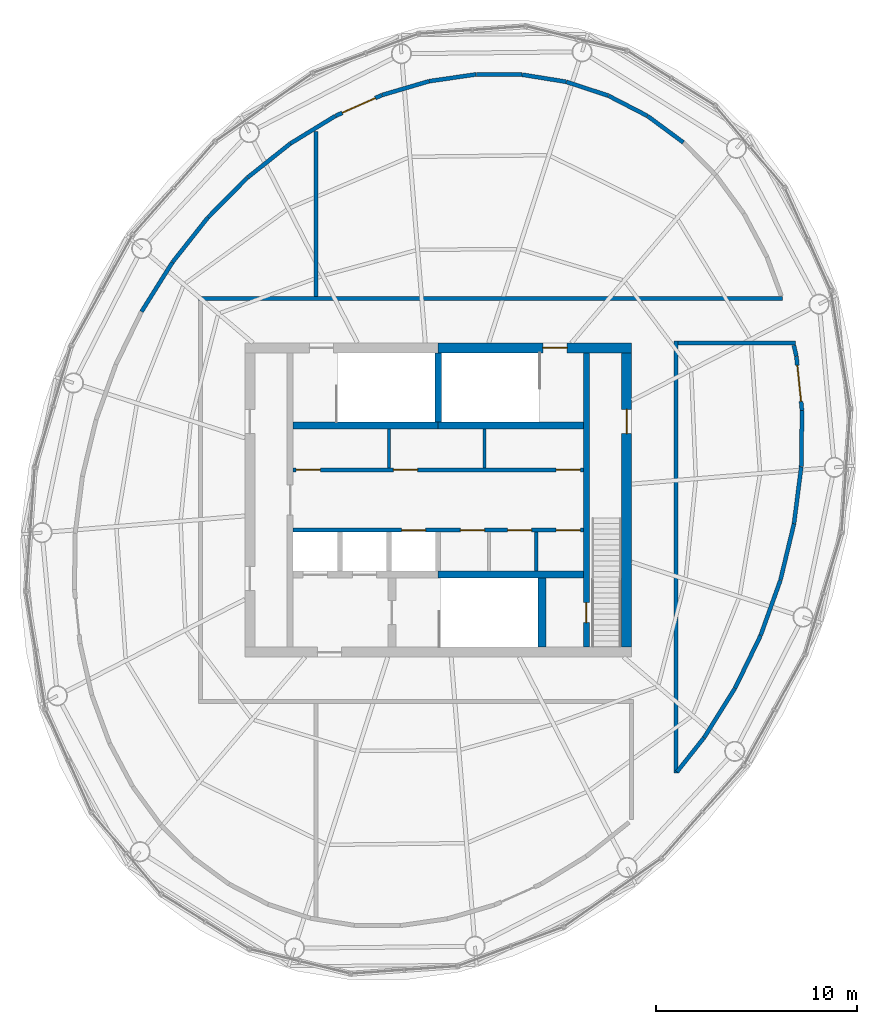
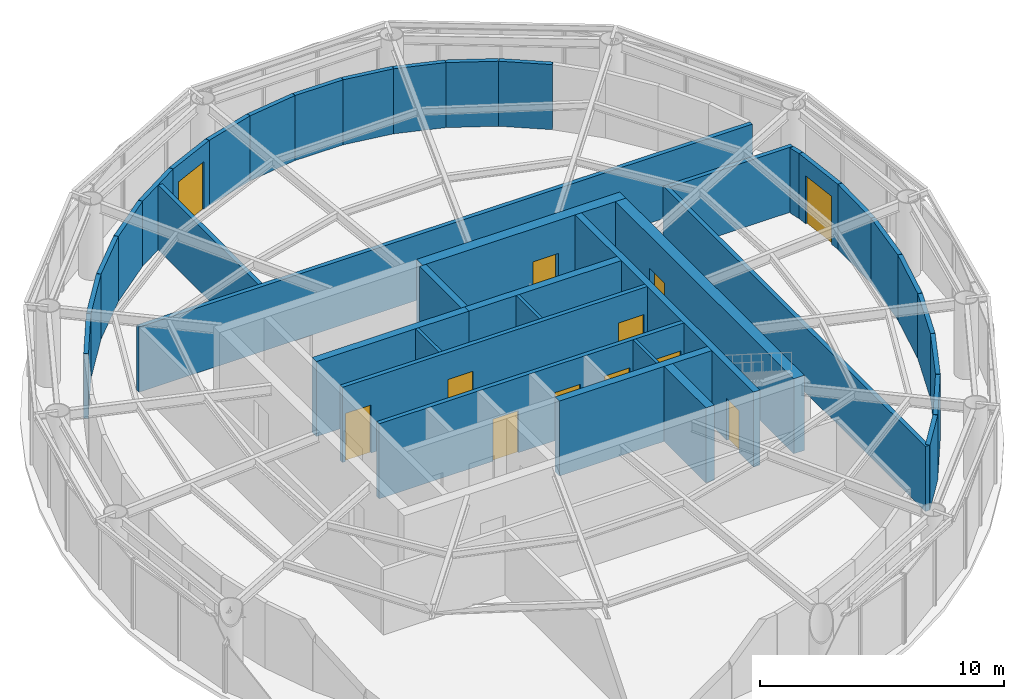
# One storey, part 9 of 11: 39 walls, 12 doors, 12 openings.
"""IFC4 building model written with IfcOpenShell, lengths in metres."""

from ifc_helpers import new_model, si_unit, direction, frame, frame_2d, origin, place, context, subcontext, project, spatial, rectangle, extrude, material, layer, layer_set, type_object, element, fill, save


model = new_model("IFC4")

# Units and contexts
model_context = context("Model", 3, precision=1e-05, world=origin(), true_north=direction((0.0, 1.0)))
body_context = subcontext(model_context, "Body", "Model", "MODEL_VIEW")
ifc_project = project(units=[si_unit("LENGTHUNIT", "METRE"), si_unit("AREAUNIT", "SQUARE_METRE"), si_unit("VOLUMEUNIT", "CUBIC_METRE"), si_unit("PLANEANGLEUNIT", "RADIAN"), si_unit("MASSUNIT", "GRAM", prefix="KILO")], contexts=[model_context])

# Site, building, storey
site_placement = place(None, origin())
site = spatial("IfcSite", under=ifc_project, at=site_placement, CompositionType="ELEMENT")
building_placement = place(site_placement, origin())
building = spatial("IfcBuilding", under=site, at=building_placement, Name="Vermilion Reach Broadcast Tower", CompositionType="ELEMENT")
storey_placement = place(building_placement, frame((0.0, 0.0, 325.5)))
storey = spatial("IfcBuildingStorey", under=building, at=storey_placement, Name="L81 CROWN", CompositionType="ELEMENT", Elevation=325.5)

# Wall, opening, door
ifc_material_1 = material(Name="Concrete C50", Category="concrete")
ifc_layer_1 = layer(ifc_material_1, 0.300048828125)
ifc_layer_set_1 = layer_set([ifc_layer_1], Name="Core inner wall 300 mm Concrete C50")
wall_type_1 = type_object("IfcWallType", Name="Core inner wall 300 mm Concrete C50", PredefinedType="SHEAR", material=ifc_layer_set_1)
wall_1_placement = place(storey_placement, frame((1.35009765625, -7.300048828125, 0.0), z_axis=(0.0, 0.0, 1.0), x_axis=(0.0, 1.0, 0.0)))
wall_1 = element("IfcWall", 1, at=wall_1_placement, inside=storey, type_object=wall_type_1, Name="L81 CROWN core wall ewE", PredefinedType="SHEAR", context=body_context, shape_type="SweptSolid", body=[
    extrude(rectangle(XDim=14.60009765625, YDim=0.300048828125, at=frame_2d((7.300048828125, 0.0))), origin(), (0.0, 0.0, 1.0), 3.75),
])
opening_1_placement = place(wall_1_placement, frame((1.2099609375, 0.0, 0.0)))
opening_1 = element("IfcOpeningElement", 2, at=opening_1_placement, cuts=wall_1, Name="Opening D05", PredefinedType="OPENING", context=body_context, shape_type="SweptSolid", body=[
    extrude(rectangle(XDim=1.0, YDim=2.10009765625, at=frame_2d((0.5, 1.050048828125))), frame((0.0, 0.159912109375, 0.0), z_axis=(0.0, -1.0, 0.0), x_axis=(1.0, 0.0, 0.0)), (0.0, 0.0, 1.0), 0.320068359375),
])
ifc_material_2 = material(Name="Timber door", Category="wood")
door_type_1 = type_object("IfcDoorType", Name="Room door 1000 x 2100", OperationType="NOTDEFINED", PredefinedType="NOTDEFINED", material=ifc_material_2)
door_1_placement = place(opening_1_placement, origin())
door_1 = element("IfcDoor", 3, at=door_1_placement, inside=storey, type_object=door_type_1, Name="L81 CROWN door SER", OperationType="SINGLE_SWING_LEFT", OverallHeight=2.10009765625, OverallWidth=1.0, PredefinedType="NOTDEFINED", context=body_context, shape_type="SweptSolid", body=[
    extrude(rectangle(XDim=1.0, YDim=2.10009765625, at=frame_2d((0.5, 1.050048828125))), frame((0.0, 0.02490234375, 0.0), z_axis=(0.0, -1.0, 0.0), x_axis=(1.0, 0.0, 0.0)), (0.0, 0.0, 1.0), 0.050048828125),
])
fill(opening_1, door_1)

# Walls
wall_2_placement = place(storey_placement, frame((-6.0, 3.8798828125, 0.0), z_axis=(0.0, 0.0, 1.0), x_axis=(0.0, 1.0, 0.0)))
element("IfcWall", 4, at=wall_2_placement, inside=storey, type_object=wall_type_1, Name="L81 CROWN core wall wc", PredefinedType="SHEAR", context=body_context, shape_type="SweptSolid", body=[
    extrude(rectangle(XDim=3.420166015625, YDim=0.300048828125, at=frame_2d((1.7099609375, 0.0))), origin(), (0.0, 0.0, 1.0), 3.75),
])
ifc_material_3 = material(Name="Concrete C50", Category="concrete")
ifc_layer_2 = layer(ifc_material_3, 0.35009765625)
ifc_layer_set_2 = layer_set([ifc_layer_2], Name="Core inner wall 350 mm Concrete C50")
wall_type_2 = type_object("IfcWallType", Name="Core inner wall 350 mm Concrete C50", PredefinedType="SHEAR", material=ifc_layer_set_2)
for number, where, z_axis, x_axis, name in (
    (5, (-13.199951171875, 3.705078125, 0.0), (0.0, 0.0, 1.0), (1.0, 0.0, 0.0), "L81 CROWN core wall winW"),
    (6, (-6.0, 3.705078125, 0.0), (0.0, 0.0, 1.0), (1.0, 0.0, 0.0), "L81 CROWN core wall winE"),
    (7, (-6.0, -3.705078125, 0.0), (0.0, 0.0, 1.0), (1.0, 0.0, 0.0), "L81 CROWN core wall wisE"),
):
    element("IfcWall", number, at=place(storey_placement, frame(where, z_axis=z_axis, x_axis=x_axis)), inside=storey, type_object=wall_type_2, Name=name, PredefinedType="SHEAR", context=body_context, shape_type="SweptSolid", body=[
        extrude(rectangle(XDim=7.199951171875, YDim=0.35009765625, at=frame_2d((3.60009765625, 0.0))), origin(), (0.0, 0.0, 1.0), 3.75),
    ])
ifc_material_4 = material(Name="Concrete C50", Category="concrete")
ifc_layer_3 = layer(ifc_material_4, 0.39990234375)
ifc_layer_set_3 = layer_set([ifc_layer_3], Name="Core inner wall 400 mm Concrete C50")
wall_type_3 = type_object("IfcWallType", Name="Core inner wall 400 mm Concrete C50", PredefinedType="SHEAR", material=ifc_layer_set_3)
wall_3_placement = place(storey_placement, frame((-0.85009765625, -3.8798828125, 0.0), z_axis=(0.0, 0.0, 1.0), x_axis=(0.0, -1.0, 0.0)))
element("IfcWall", 8, at=wall_3_placement, inside=storey, type_object=wall_type_3, Name="L81 CROWN core wall wb", PredefinedType="SHEAR", context=body_context, shape_type="SweptSolid", body=[
    extrude(rectangle(XDim=3.420166015625, YDim=0.39990234375, at=frame_2d((1.7099609375, 0.0))), origin(), (0.0, 0.0, 1.0), 3.75),
])

# Wall, opening, door
ifc_material_5 = material(Name="Concrete C50", Category="concrete")
ifc_layer_4 = layer(ifc_material_5, 0.5)
ifc_layer_set_4 = layer_set([ifc_layer_4], Name="Core outer wall 500 mm Concrete C50")
wall_type_4 = type_object("IfcWallType", Name="Core outer wall 500 mm Concrete C50", PredefinedType="SHEAR", material=ifc_layer_set_4)
wall_4_placement = place(storey_placement, frame((3.60009765625, 7.550048828125, 0.0), z_axis=(0.0, 0.0, 1.0), x_axis=(-1.0, 0.0, 0.0)))
wall_4 = element("IfcWall", 9, at=wall_4_placement, inside=storey, type_object=wall_type_4, Name="L81 CROWN core wall onE", PredefinedType="SHEAR", context=body_context, shape_type="SweptSolid", body=[
    extrude(rectangle(XDim=9.60009765625, YDim=0.5, at=frame_2d((4.800048828125, 0.0))), origin(), (0.0, 0.0, 1.0), 3.75),
])
opening_2_placement = place(wall_4_placement, frame((3.199951171875, 0.0, 0.0)))
opening_2 = element("IfcOpeningElement", 10, at=opening_2_placement, cuts=wall_4, Name="Opening D01", PredefinedType="OPENING", context=body_context, shape_type="SweptSolid", body=[
    extrude(rectangle(XDim=1.199951171875, YDim=2.10009765625, at=frame_2d((0.60009765625, 1.050048828125))), frame((0.0, 0.260009765625, 0.0), z_axis=(0.0, -1.0, 0.0), x_axis=(1.0, 0.0, 0.0)), (0.0, 0.0, 1.0), 0.52001953125),
])
ifc_material_6 = material(Name="Painted steel fire door", Category="steel")
door_type_2 = type_object("IfcDoorType", Name="Stair door 1200 x 2100", OperationType="DOUBLE_DOOR_SINGLE_SWING", PredefinedType="NOTDEFINED", material=ifc_material_6)
door_2_placement = place(opening_2_placement, origin())
door_2 = element("IfcDoor", 11, at=door_2_placement, inside=storey, type_object=door_type_2, Name="L81 CROWN stair door ST2", OperationType="DOUBLE_DOOR_SINGLE_SWING", OverallHeight=2.10009765625, OverallWidth=1.199951171875, PredefinedType="NOTDEFINED", context=body_context, shape_type="SweptSolid", body=[
    extrude(rectangle(XDim=1.199951171875, YDim=2.10009765625, at=frame_2d((0.60009765625, 1.050048828125))), frame((0.0, 0.02490234375, 0.0), z_axis=(0.0, -1.0, 0.0), x_axis=(1.0, 0.0, 0.0)), (0.0, 0.0, 1.0), 0.050048828125),
])
fill(opening_2, door_2)

wall_5_placement = place(storey_placement, frame((3.35009765625, -7.300048828125, 0.0), z_axis=(0.0, 0.0, 1.0), x_axis=(0.0, 1.0, 0.0)))
wall_5 = element("IfcWall", 12, at=wall_5_placement, inside=storey, type_object=wall_type_4, Name="L81 CROWN core wall oe", PredefinedType="SHEAR", context=body_context, shape_type="SweptSolid", body=[
    extrude(rectangle(XDim=14.60009765625, YDim=0.5, at=frame_2d((7.300048828125, 0.0))), origin(), (0.0, 0.0, 1.0), 3.75),
])
opening_3_placement = place(wall_5_placement, frame((10.60009765625, 0.0, 0.0)))
opening_3 = element("IfcOpeningElement", 13, at=opening_3_placement, cuts=wall_5, Name="Opening D03", PredefinedType="OPENING", context=body_context, shape_type="SweptSolid", body=[
    extrude(rectangle(XDim=1.199951171875, YDim=2.10009765625, at=frame_2d((0.60009765625, 1.050048828125))), frame((0.0, 0.260009765625, 0.0), z_axis=(0.0, -1.0, 0.0), x_axis=(1.0, 0.0, 0.0)), (0.0, 0.0, 1.0), 0.52001953125),
])
ifc_material_7 = material(Name="Painted steel fire door", Category="steel")
door_type_3 = type_object("IfcDoorType", Name="Core lobby door 1200 x 2100", OperationType="DOUBLE_DOOR_SINGLE_SWING", PredefinedType="NOTDEFINED", material=ifc_material_7)
door_3_placement = place(opening_3_placement, origin())
door_3 = element("IfcDoor", 14, at=door_3_placement, inside=storey, type_object=door_type_3, Name="L81 CROWN slot door E1", OperationType="DOUBLE_DOOR_SINGLE_SWING", OverallHeight=2.10009765625, OverallWidth=1.199951171875, PredefinedType="NOTDEFINED", context=body_context, shape_type="SweptSolid", body=[
    extrude(rectangle(XDim=1.199951171875, YDim=2.10009765625, at=frame_2d((0.60009765625, 1.050048828125))), frame((0.0, 0.02490234375, 0.0), z_axis=(0.0, -1.0, 0.0), x_axis=(1.0, 0.0, 0.0)), (0.0, 0.0, 1.0), 0.050048828125),
])
fill(opening_3, door_3)

# Walls
ifc_material_8 = material(Name="Masonry block", Category="masonry")
ifc_layer_5 = layer(ifc_material_8, 0.14990234375)
ifc_layer_set_5 = layer_set([ifc_layer_5], Name="Core partition wall 150 mm Masonry block")
wall_type_5 = type_object("IfcWallType", Name="Core partition wall 150 mm Masonry block", PredefinedType="PARTITIONING", material=ifc_layer_set_5)
for number, where, z_axis, x_axis, name in (
    (15, (-8.447998046875, 1.60009765625, 0.0), (0.0, 0.0, 1.0), (0.0, 1.0, 0.0), "L81 CROWN core wall prN-2448"),
    (16, (-3.696044921875, 1.60009765625, 0.0), (0.0, 0.0, 1.0), (0.0, 1.0, 0.0), "L81 CROWN core wall prN2304"),
    (17, (-1.134765625, -1.60009765625, 0.0), (0.0, 0.0, 1.0), (0.0, -1.0, 0.0), "L81 CROWN core wall prS4865"),
):
    element("IfcWall", number, at=place(storey_placement, frame(where, z_axis=z_axis, x_axis=x_axis)), inside=storey, type_object=wall_type_5, Name=name, PredefinedType="PARTITIONING", context=body_context, shape_type="SweptSolid", body=[
        extrude(rectangle(XDim=1.929931640625, YDim=0.14990234375, at=frame_2d((0.96484375, 0.0))), origin(), (0.0, 0.0, 1.0), 3.75),
    ])

# Wall, openings, doors
ifc_material_9 = material(Name="Concrete C50", Category="concrete")
ifc_layer_6 = layer(ifc_material_9, 0.199951171875)
ifc_layer_set_6 = layer_set([ifc_layer_6], Name="Core shaft wall 200 mm Concrete C50")
wall_type_6 = type_object("IfcWallType", Name="Core shaft wall 200 mm Concrete C50", PredefinedType="SHEAR", material=ifc_layer_set_6)
wall_6_placement = place(storey_placement, frame((-13.199951171875, 1.5, 0.0), z_axis=(0.0, 0.0, 1.0), x_axis=(1.0, 0.0, 0.0)))
wall_6 = element("IfcWall", 18, at=wall_6_placement, inside=storey, type_object=wall_type_6, Name="L81 CROWN core wall fn", PredefinedType="SHEAR", context=body_context, shape_type="SweptSolid", body=[
    extrude(rectangle(XDim=14.39990234375, YDim=0.199951171875, at=frame_2d((7.199951171875, 0.0))), origin(), (0.0, 0.0, 1.0), 3.75),
])
opening_4_placement = place(wall_6_placement, frame((0.14990234375, 0.0, 0.0)))
opening_4 = element("IfcOpeningElement", 19, at=opening_4_placement, cuts=wall_6, Name="Opening D09", PredefinedType="OPENING", context=body_context, shape_type="SweptSolid", body=[
    extrude(rectangle(XDim=1.199951171875, YDim=2.39990234375, at=frame_2d((0.60009765625, 1.199951171875))), frame((0.0, 0.10986328125, 0.0), z_axis=(0.0, -1.0, 0.0), x_axis=(1.0, 0.0, 0.0)), (0.0, 0.0, 1.0), 0.219970703125),
])
opening_5_placement = place(wall_6_placement, frame((4.97705078125, 0.0, 0.0)))
opening_5 = element("IfcOpeningElement", 20, at=opening_5_placement, cuts=wall_6, Name="Opening D09", PredefinedType="OPENING", context=body_context, shape_type="SweptSolid", body=[
    extrude(rectangle(XDim=1.199951171875, YDim=2.39990234375, at=frame_2d((0.60009765625, 1.199951171875))), frame((0.0, 0.10986328125, 0.0), z_axis=(0.0, -1.0, 0.0), x_axis=(1.0, 0.0, 0.0)), (0.0, 0.0, 1.0), 0.219970703125),
])
opening_6_placement = place(wall_6_placement, frame((13.050048828125, 0.0, 0.0)))
opening_6 = element("IfcOpeningElement", 21, at=opening_6_placement, cuts=wall_6, Name="Opening D09", PredefinedType="OPENING", context=body_context, shape_type="SweptSolid", body=[
    extrude(rectangle(XDim=1.199951171875, YDim=2.39990234375, at=frame_2d((0.60009765625, 1.199951171875))), frame((0.0, 0.10986328125, 0.0), z_axis=(0.0, -1.0, 0.0), x_axis=(1.0, 0.0, 0.0)), (0.0, 0.0, 1.0), 0.219970703125),
])
ifc_material_10 = material(Name="Painted steel fire door", Category="steel")
door_type_4 = type_object("IfcDoorType", Name="Plant room door 1200 x 2400", OperationType="DOUBLE_DOOR_SINGLE_SWING", PredefinedType="NOTDEFINED", material=ifc_material_10)
door_4_placement = place(opening_4_placement, origin())
door_4 = element("IfcDoor", 22, at=door_4_placement, inside=storey, type_object=door_type_4, Name="L81 CROWN door Plant room", OperationType="DOUBLE_DOOR_SINGLE_SWING", OverallHeight=2.39990234375, OverallWidth=1.199951171875, PredefinedType="NOTDEFINED", context=body_context, shape_type="SweptSolid", body=[
    extrude(rectangle(XDim=1.199951171875, YDim=2.39990234375, at=frame_2d((0.60009765625, 1.199951171875))), frame((0.0, 0.02490234375, 0.0), z_axis=(0.0, -1.0, 0.0), x_axis=(1.0, 0.0, 0.0)), (0.0, 0.0, 1.0), 0.050048828125),
])
fill(opening_4, door_4)
door_5_placement = place(opening_5_placement, origin())
door_5 = element("IfcDoor", 23, at=door_5_placement, inside=storey, type_object=door_type_4, Name="L81 CROWN door Plant room", OperationType="DOUBLE_DOOR_SINGLE_SWING", OverallHeight=2.39990234375, OverallWidth=1.199951171875, PredefinedType="NOTDEFINED", context=body_context, shape_type="SweptSolid", body=[
    extrude(rectangle(XDim=1.199951171875, YDim=2.39990234375, at=frame_2d((0.60009765625, 1.199951171875))), frame((0.0, 0.02490234375, 0.0), z_axis=(0.0, -1.0, 0.0), x_axis=(1.0, 0.0, 0.0)), (0.0, 0.0, 1.0), 0.050048828125),
])
fill(opening_5, door_5)
door_6_placement = place(opening_6_placement, origin())
door_6 = element("IfcDoor", 24, at=door_6_placement, inside=storey, type_object=door_type_4, Name="L81 CROWN door Plant room", OperationType="DOUBLE_DOOR_SINGLE_SWING", OverallHeight=2.39990234375, OverallWidth=1.199951171875, PredefinedType="NOTDEFINED", context=body_context, shape_type="SweptSolid", body=[
    extrude(rectangle(XDim=1.199951171875, YDim=2.39990234375, at=frame_2d((0.60009765625, 1.199951171875))), frame((0.0, 0.02490234375, 0.0), z_axis=(0.0, -1.0, 0.0), x_axis=(1.0, 0.0, 0.0)), (0.0, 0.0, 1.0), 0.050048828125),
])
fill(opening_6, door_6)

wall_7_placement = place(storey_placement, frame((1.199951171875, -1.5, 0.0), z_axis=(0.0, 0.0, 1.0), x_axis=(-1.0, 0.0, 0.0)))
wall_7 = element("IfcWall", 25, at=wall_7_placement, inside=storey, type_object=wall_type_6, Name="L81 CROWN core wall fs", PredefinedType="SHEAR", context=body_context, shape_type="SweptSolid", body=[
    extrude(rectangle(XDim=14.39990234375, YDim=0.199951171875, at=frame_2d((7.199951171875, 0.0))), origin(), (0.0, 0.0, 1.0), 3.75),
])
opening_7_placement = place(wall_7_placement, frame((7.82080078125, 0.0, 0.0)))
opening_7 = element("IfcOpeningElement", 26, at=opening_7_placement, cuts=wall_7, Name="Opening LD1", PredefinedType="OPENING", context=body_context, shape_type="SweptSolid", body=[
    extrude(rectangle(XDim=1.199951171875, YDim=2.10009765625, at=frame_2d((0.60009765625, 1.050048828125))), frame((0.0, 0.10986328125, 0.0), z_axis=(0.0, -1.0, 0.0), x_axis=(1.0, 0.0, 0.0)), (0.0, 0.0, 1.0), 0.219970703125),
])
opening_8_placement = place(wall_7_placement, frame((4.89453125, 0.0, 0.0)))
opening_8 = element("IfcOpeningElement", 27, at=opening_8_placement, cuts=wall_7, Name="Opening D09", PredefinedType="OPENING", context=body_context, shape_type="SweptSolid", body=[
    extrude(rectangle(XDim=1.199951171875, YDim=2.39990234375, at=frame_2d((0.60009765625, 1.199951171875))), frame((0.0, 0.10986328125, 0.0), z_axis=(0.0, -1.0, 0.0), x_axis=(1.0, 0.0, 0.0)), (0.0, 0.0, 1.0), 0.219970703125),
])
opening_9_placement = place(wall_7_placement, frame((2.559814453125, 0.0, 0.0)))
opening_9 = element("IfcOpeningElement", 28, at=opening_9_placement, cuts=wall_7, Name="Opening D09", PredefinedType="OPENING", context=body_context, shape_type="SweptSolid", body=[
    extrude(rectangle(XDim=1.199951171875, YDim=2.39990234375, at=frame_2d((0.60009765625, 1.199951171875))), frame((0.0, 0.10986328125, 0.0), z_axis=(0.0, -1.0, 0.0), x_axis=(1.0, 0.0, 0.0)), (0.0, 0.0, 1.0), 0.219970703125),
])
opening_10_placement = place(wall_7_placement, frame((0.14990234375, 0.0, 0.0)))
opening_10 = element("IfcOpeningElement", 29, at=opening_10_placement, cuts=wall_7, Name="Opening D09", PredefinedType="OPENING", context=body_context, shape_type="SweptSolid", body=[
    extrude(rectangle(XDim=1.199951171875, YDim=2.39990234375, at=frame_2d((0.60009765625, 1.199951171875))), frame((0.0, 0.10986328125, 0.0), z_axis=(0.0, -1.0, 0.0), x_axis=(1.0, 0.0, 0.0)), (0.0, 0.0, 1.0), 0.219970703125),
])
ifc_material_11 = material(Name="Stainless steel", Category="steel")
door_type_5 = type_object("IfcDoorType", Name="Landing door 1200 x 2100", OperationType="DOUBLE_DOOR_SLIDING", PredefinedType="NOTDEFINED", material=ifc_material_11)
door_7_placement = place(opening_7_placement, origin())
door_7 = element("IfcDoor", 30, at=door_7_placement, inside=storey, type_object=door_type_5, Name="L81 CROWN landing door SV1", OperationType="DOUBLE_DOOR_SLIDING", OverallHeight=2.10009765625, OverallWidth=1.199951171875, PredefinedType="NOTDEFINED", context=body_context, shape_type="SweptSolid", body=[
    extrude(rectangle(XDim=1.199951171875, YDim=2.10009765625, at=frame_2d((0.60009765625, 1.050048828125))), frame((0.0, 0.02490234375, 0.0), z_axis=(0.0, -1.0, 0.0), x_axis=(1.0, 0.0, 0.0)), (0.0, 0.0, 1.0), 0.050048828125),
])
fill(opening_7, door_7)
door_8_placement = place(opening_8_placement, origin())
door_8 = element("IfcDoor", 31, at=door_8_placement, inside=storey, type_object=door_type_4, Name="L81 CROWN door Plant room", OperationType="DOUBLE_DOOR_SINGLE_SWING", OverallHeight=2.39990234375, OverallWidth=1.199951171875, PredefinedType="NOTDEFINED", context=body_context, shape_type="SweptSolid", body=[
    extrude(rectangle(XDim=1.199951171875, YDim=2.39990234375, at=frame_2d((0.60009765625, 1.199951171875))), frame((0.0, 0.02490234375, 0.0), z_axis=(0.0, -1.0, 0.0), x_axis=(1.0, 0.0, 0.0)), (0.0, 0.0, 1.0), 0.050048828125),
])
fill(opening_8, door_8)
door_9_placement = place(opening_9_placement, origin())
door_9 = element("IfcDoor", 32, at=door_9_placement, inside=storey, type_object=door_type_4, Name="L81 CROWN door Plant room", OperationType="DOUBLE_DOOR_SINGLE_SWING", OverallHeight=2.39990234375, OverallWidth=1.199951171875, PredefinedType="NOTDEFINED", context=body_context, shape_type="SweptSolid", body=[
    extrude(rectangle(XDim=1.199951171875, YDim=2.39990234375, at=frame_2d((0.60009765625, 1.199951171875))), frame((0.0, 0.02490234375, 0.0), z_axis=(0.0, -1.0, 0.0), x_axis=(1.0, 0.0, 0.0)), (0.0, 0.0, 1.0), 0.050048828125),
])
fill(opening_9, door_9)
door_10_placement = place(opening_10_placement, origin())
door_10 = element("IfcDoor", 33, at=door_10_placement, inside=storey, type_object=door_type_4, Name="L81 CROWN door Plant room", OperationType="DOUBLE_DOOR_SINGLE_SWING", OverallHeight=2.39990234375, OverallWidth=1.199951171875, PredefinedType="NOTDEFINED", context=body_context, shape_type="SweptSolid", body=[
    extrude(rectangle(XDim=1.199951171875, YDim=2.39990234375, at=frame_2d((0.60009765625, 1.199951171875))), frame((0.0, 0.02490234375, 0.0), z_axis=(0.0, -1.0, 0.0), x_axis=(1.0, 0.0, 0.0)), (0.0, 0.0, 1.0), 0.050048828125),
])
fill(opening_10, door_10)

# Walls
ifc_material_12 = material(Name="Gypsum board shaft wall")
ifc_layer_7 = layer(ifc_material_12, 0.199951171875)
ifc_layer_set_7 = layer_set([ifc_layer_7], Name="Plant room wall 200")
wall_type_7 = type_object("IfcWallType", Name="Plant room wall 200", PredefinedType="PARTITIONING", material=ifc_layer_set_7)
wall_8_placement = place(storey_placement, frame((-17.89990234375, 10.0, 0.0), z_axis=(0.0, 0.0, 1.0), x_axis=(1.0, 0.0, 0.0)))
element("IfcWall", 34, at=wall_8_placement, inside=storey, type_object=wall_type_7, Name="sp.wall.L81 CROWN.001", PredefinedType="PARTITIONING", context=body_context, shape_type="SweptSolid", body=[
    extrude(rectangle(XDim=28.97607421875, YDim=0.199951171875, at=frame_2d((14.488037109375, 0.0))), origin(), (0.0, 0.0, 1.0), 3.25),
])
wall_9_placement = place(storey_placement, frame((5.800048828125, -13.5576171875, 0.0), z_axis=(0.0, 0.0, 1.0), x_axis=(0.0, 1.0, 0.0)))
element("IfcWall", 35, at=wall_9_placement, inside=storey, type_object=wall_type_7, Name="sp.wall.L81 CROWN.003", PredefinedType="PARTITIONING", context=body_context, shape_type="SweptSolid", body=[
    extrude(rectangle(XDim=21.457763671875, YDim=0.199951171875, at=frame_2d((10.72900390625, 0.0))), origin(), (0.0, 0.0, 1.0), 3.25),
])
wall_10_placement = place(storey_placement, frame((5.89990234375, 7.800048828125, 0.0), z_axis=(0.0, 0.0, 1.0), x_axis=(1.0, 0.0, 0.0)))
element("IfcWall", 36, at=wall_10_placement, inside=storey, type_object=wall_type_7, Name="sp.wall.L81 CROWN.004", PredefinedType="PARTITIONING", context=body_context, shape_type="SweptSolid", body=[
    extrude(rectangle(XDim=5.82373046875, YDim=0.199951171875, at=frame_2d((2.911865234375, 0.0))), origin(), (0.0, 0.0, 1.0), 3.25),
])
wall_11_placement = place(storey_placement, frame((-12.056396484375, 10.10009765625, 0.0), z_axis=(0.0, 0.0, 1.0), x_axis=(0.0, 1.0, 0.0)))
element("IfcWall", 37, at=wall_11_placement, inside=storey, type_object=wall_type_7, Name="sp.wall.L81 CROWN.007", PredefinedType="PARTITIONING", context=body_context, shape_type="SweptSolid", body=[
    extrude(rectangle(XDim=8.2001953125, YDim=0.199951171875, at=frame_2d((4.10009765625, 0.0))), origin(), (0.0, 0.0, 1.0), 3.25),
])
wall_12_placement = place(storey_placement, frame((-20.724609375, 9.352294921875, 0.0), z_axis=(0.0, 0.0, 1.0), x_axis=(0.530761457751, 0.847521253401, 0.0)))
element("IfcWall", 38, at=wall_12_placement, inside=storey, type_object=wall_type_7, Name="sp.wall.L81 CROWN.023", PredefinedType="PARTITIONING", context=body_context, shape_type="SweptSolid", body=[
    extrude(rectangle(XDim=2.877197265625, YDim=0.199951171875, at=frame_2d((1.4384765625, 0.0))), origin(), (0.0, 0.0, 1.0), 3.25),
])
wall_13_placement = place(storey_placement, frame((-19.190673828125, 11.79931640625, 0.0), z_axis=(0.0, 0.0, 1.0), x_axis=(0.620327979869, 0.784342525553, 0.0)))
element("IfcWall", 39, at=wall_13_placement, inside=storey, type_object=wall_type_7, Name="sp.wall.L81 CROWN.024", PredefinedType="PARTITIONING", context=body_context, shape_type="SweptSolid", body=[
    extrude(rectangle(XDim=2.835693359375, YDim=0.199951171875, at=frame_2d((1.41796875, 0.0))), origin(), (0.0, 0.0, 1.0), 3.25),
])
wall_14_placement = place(storey_placement, frame((-17.423583984375, 14.031494140625, 0.0), z_axis=(0.0, 0.0, 1.0), x_axis=(0.704683921548, 0.70952136734, 0.0)))
element("IfcWall", 40, at=wall_14_placement, inside=storey, type_object=wall_type_7, Name="sp.wall.L81 CROWN.025", PredefinedType="PARTITIONING", context=body_context, shape_type="SweptSolid", body=[
    extrude(rectangle(XDim=2.77587890625, YDim=0.199951171875, at=frame_2d((1.387939453125, 0.0))), origin(), (0.0, 0.0, 1.0), 3.25),
])
wall_15_placement = place(storey_placement, frame((-15.458251953125, 16.00830078125, 0.0), z_axis=(0.0, 0.0, 1.0), x_axis=(0.782656107767, 0.62245434931, 0.0)))
element("IfcWall", 41, at=wall_15_placement, inside=storey, type_object=wall_type_7, Name="sp.wall.L81 CROWN.026", PredefinedType="PARTITIONING", context=body_context, shape_type="SweptSolid", body=[
    extrude(rectangle(XDim=2.700439453125, YDim=0.199951171875, at=frame_2d((1.35009765625, 0.0))), origin(), (0.0, 0.0, 1.0), 3.25),
])
wall_16_placement = place(storey_placement, frame((-13.334228515625, 17.69580078125, 0.0), z_axis=(0.0, 0.0, 1.0), x_axis=(0.852667029926, 0.522454721557, 0.0)))
element("IfcWall", 42, at=wall_16_placement, inside=storey, type_object=wall_type_7, Name="sp.wall.L81 CROWN.027", PredefinedType="PARTITIONING", context=body_context, shape_type="SweptSolid", body=[
    extrude(rectangle(XDim=2.613525390625, YDim=0.199951171875, at=frame_2d((1.306640625, 0.0))), origin(), (0.0, 0.0, 1.0), 3.25),
])

# Wall, opening, door
wall_17_placement = place(storey_placement, frame((-8.7939453125, 20.097412109375, 0.0), z_axis=(0.0, 0.0, 1.0), x_axis=(-0.912552955942, -0.408958558538, 0.0)))
wall_17 = element("IfcWall", 43, at=wall_17_placement, inside=storey, type_object=wall_type_7, Name="sp.wall.L81 CROWN.031", PredefinedType="PARTITIONING", context=body_context, shape_type="SweptSolid", body=[
    extrude(rectangle(XDim=2.5205078125, YDim=0.199951171875, at=frame_2d((1.26025390625, 0.0))), origin(), (0.0, 0.0, 1.0), 3.25),
])
opening_11_placement = place(wall_17_placement, frame((0.360107421875, 0.0, 0.0)))
opening_11 = element("IfcOpeningElement", 44, at=opening_11_placement, cuts=wall_17, Name="Opening D53", PredefinedType="OPENING", context=body_context, shape_type="SweptSolid", body=[
    extrude(rectangle(XDim=1.800048828125, YDim=2.39990234375, at=frame_2d((0.89990234375, 1.199951171875))), frame((0.0, 0.10986328125, 0.0), z_axis=(0.0, -1.0, 0.0), x_axis=(1.0, 0.0, 0.0)), (0.0, 0.0, 1.0), 0.219970703125),
])
ifc_material_13 = material(Name="Timber and steel door set", Category="steel")
door_type_6 = type_object("IfcDoorType", Name="Plant double door 1800x2400", OperationType="NOTDEFINED", PredefinedType="DOOR", material=ifc_material_13)
door_11_placement = place(opening_11_placement, origin())
door_11 = element("IfcDoor", 45, at=door_11_placement, inside=storey, type_object=door_type_6, Name="sp.door.L81 CROWN.001", OperationType="DOUBLE_DOOR_SINGLE_SWING", OverallHeight=2.39990234375, OverallWidth=1.800048828125, PredefinedType="DOOR", context=body_context, shape_type="SweptSolid", body=[
    extrude(rectangle(XDim=1.800048828125, YDim=2.39990234375, at=frame_2d((0.89990234375, 1.199951171875))), frame((0.0, 0.02490234375, 0.0), z_axis=(0.0, -1.0, 0.0), x_axis=(1.0, 0.0, 0.0)), (0.0, 0.0, 1.0), 0.050048828125),
])
fill(opening_11, door_11)

# Walls
wall_18_placement = place(storey_placement, frame((-8.781005859375, 20.101318359375, 0.0), z_axis=(0.0, 0.0, 1.0), x_axis=(0.95934146389, 0.28224803925, 0.0)))
element("IfcWall", 46, at=wall_18_placement, inside=storey, type_object=wall_type_7, Name="sp.wall.L81 CROWN.032", PredefinedType="PARTITIONING", context=body_context, shape_type="SweptSolid", body=[
    extrude(rectangle(XDim=2.42626953125, YDim=0.199951171875, at=frame_2d((1.213134765625, 0.0))), origin(), (0.0, 0.0, 1.0), 3.25),
])
wall_19_placement = place(storey_placement, frame((-6.439208984375, 20.7880859375, 0.0), z_axis=(0.0, 0.0, 1.0), x_axis=(0.989671979467, 0.143350525141, 0.0)))
element("IfcWall", 47, at=wall_19_placement, inside=storey, type_object=wall_type_7, Name="sp.wall.L81 CROWN.033", PredefinedType="PARTITIONING", context=body_context, shape_type="SweptSolid", body=[
    extrude(rectangle(XDim=2.33837890625, YDim=0.199951171875, at=frame_2d((1.169189453125, 0.0))), origin(), (0.0, 0.0, 1.0), 3.25),
])
wall_20_placement = place(storey_placement, frame((-4.110107421875, 21.123046875, 0.0), z_axis=(0.0, 0.0, 1.0), x_axis=(0.999986603133, -0.005176248997, 0.0)))
element("IfcWall", 48, at=wall_20_placement, inside=storey, type_object=wall_type_7, Name="sp.wall.L81 CROWN.034", PredefinedType="PARTITIONING", context=body_context, shape_type="SweptSolid", body=[
    extrude(rectangle(XDim=2.263916015625, YDim=0.199951171875, at=frame_2d((1.1318359375, 0.0))), origin(), (0.0, 0.0, 1.0), 3.25),
])
wall_21_placement = place(storey_placement, frame((-1.830810546875, 21.10888671875, 0.0), z_axis=(0.0, 0.0, 1.0), x_axis=(0.987257926423, -0.159128208423, 0.0)))
element("IfcWall", 49, at=wall_21_placement, inside=storey, type_object=wall_type_7, Name="sp.wall.L81 CROWN.035", PredefinedType="PARTITIONING", context=body_context, shape_type="SweptSolid", body=[
    extrude(rectangle(XDim=2.209228515625, YDim=0.199951171875, at=frame_2d((1.1044921875, 0.0))), origin(), (0.0, 0.0, 1.0), 3.25),
])
wall_22_placement = place(storey_placement, frame((0.365478515625, 20.752197265625, 0.0), z_axis=(0.0, 0.0, 1.0), x_axis=(0.949852302688, -0.312698901627, 0.0)))
element("IfcWall", 50, at=wall_22_placement, inside=storey, type_object=wall_type_7, Name="sp.wall.L81 CROWN.036", PredefinedType="PARTITIONING", context=body_context, shape_type="SweptSolid", body=[
    extrude(rectangle(XDim=2.1806640625, YDim=0.199951171875, at=frame_2d((1.09033203125, 0.0))), origin(), (0.0, 0.0, 1.0), 3.25),
])
wall_23_placement = place(storey_placement, frame((2.450927734375, 20.062744140625, 0.0), z_axis=(0.0, 0.0, 1.0), x_axis=(0.888068415533, -0.45971131086, 0.0)))
element("IfcWall", 51, at=wall_23_placement, inside=storey, type_object=wall_type_7, Name="sp.wall.L81 CROWN.037", PredefinedType="PARTITIONING", context=body_context, shape_type="SweptSolid", body=[
    extrude(rectangle(XDim=2.16455078125, YDim=0.199951171875, at=frame_2d((1.082275390625, 0.0))), origin(), (0.0, 0.0, 1.0), 3.25),
])
wall_24_placement = place(storey_placement, frame((4.387451171875, 19.060302734375, 0.0), z_axis=(0.0, 0.0, 1.0), x_axis=(0.80443326696, -0.594043027909, 0.0)))
element("IfcWall", 52, at=wall_24_placement, inside=storey, type_object=wall_type_7, Name="sp.wall.L81 CROWN.038", PredefinedType="PARTITIONING", context=body_context, shape_type="SweptSolid", body=[
    extrude(rectangle(XDim=2.20947265625, YDim=0.199951171875, at=frame_2d((1.104736328125, 0.0))), origin(), (0.0, 0.0, 1.0), 3.25),
])
wall_25_placement = place(storey_placement, frame((12.017822265625, 1.655517578125, 0.0), z_axis=(0.0, 0.0, 1.0), x_axis=(0.013897320686, 0.999903427576, 0.0)))
element("IfcWall", 53, at=wall_25_placement, inside=storey, type_object=wall_type_7, Name="sp.wall.L81 CROWN.046", PredefinedType="PARTITIONING", context=body_context, shape_type="SweptSolid", body=[
    extrude(rectangle(XDim=2.775634765625, YDim=0.199951171875, at=frame_2d((1.3876953125, 0.0))), origin(), (0.0, 0.0, 1.0), 3.25),
])
wall_26_placement = place(storey_placement, frame((11.659423828125, -1.1689453125, 0.0), z_axis=(0.0, 0.0, 1.0), x_axis=(0.126302032537, 0.991991832919, 0.0)))
element("IfcWall", 54, at=wall_26_placement, inside=storey, type_object=wall_type_7, Name="sp.wall.L81 CROWN.047", PredefinedType="PARTITIONING", context=body_context, shape_type="SweptSolid", body=[
    extrude(rectangle(XDim=2.835693359375, YDim=0.199951171875, at=frame_2d((1.41796875, 0.0))), origin(), (0.0, 0.0, 1.0), 3.25),
])
wall_27_placement = place(storey_placement, frame((10.984375, -3.976806640625, 0.0), z_axis=(0.0, 0.0, 1.0), x_axis=(0.234120678443, 0.972207543648, 0.0)))
element("IfcWall", 55, at=wall_27_placement, inside=storey, type_object=wall_type_7, Name="sp.wall.L81 CROWN.048", PredefinedType="PARTITIONING", context=body_context, shape_type="SweptSolid", body=[
    extrude(rectangle(XDim=2.877197265625, YDim=0.199951171875, at=frame_2d((1.4384765625, 0.0))), origin(), (0.0, 0.0, 1.0), 3.25),
])
wall_28_placement = place(storey_placement, frame((10.003662109375, -6.715576171875, 0.0), z_axis=(0.0, 0.0, 1.0), x_axis=(0.337478197562, 0.941333344873, 0.0)))
element("IfcWall", 56, at=wall_28_placement, inside=storey, type_object=wall_type_7, Name="sp.wall.L81 CROWN.049", PredefinedType="PARTITIONING", context=body_context, shape_type="SweptSolid", body=[
    extrude(rectangle(XDim=2.89794921875, YDim=0.199951171875, at=frame_2d((1.448974609375, 0.0))), origin(), (0.0, 0.0, 1.0), 3.25),
])
wall_29_placement = place(storey_placement, frame((8.73046875, -9.34326171875, 0.0), z_axis=(0.0, 0.0, 1.0), x_axis=(0.436405284506, 0.89975020292, 0.0)))
element("IfcWall", 57, at=wall_29_placement, inside=storey, type_object=wall_type_7, Name="sp.wall.L81 CROWN.050", PredefinedType="PARTITIONING", context=body_context, shape_type="SweptSolid", body=[
    extrude(rectangle(XDim=2.9091796875, YDim=0.199951171875, at=frame_2d((1.45458984375, 0.0))), origin(), (0.0, 0.0, 1.0), 3.25),
])
wall_30_placement = place(storey_placement, frame((7.197509765625, -11.790771484375, 0.0), z_axis=(0.0, 0.0, 1.0), x_axis=(0.530761457751, 0.847521253401, 0.0)))
element("IfcWall", 58, at=wall_30_placement, inside=storey, type_object=wall_type_7, Name="sp.wall.L81 CROWN.051", PredefinedType="PARTITIONING", context=body_context, shape_type="SweptSolid", body=[
    extrude(rectangle(XDim=2.877197265625, YDim=0.199951171875, at=frame_2d((1.4384765625, 0.0))), origin(), (0.0, 0.0, 1.0), 3.25),
])
wall_31_placement = place(storey_placement, frame((5.84912109375, -13.49560546875, 0.0), z_axis=(0.0, 0.0, 1.0), x_axis=(0.620321195124, 0.784347891487, 0.0)))
element("IfcWall", 59, at=wall_31_placement, inside=storey, type_object=wall_type_7, Name="sp.wall.L81 CROWN.052", PredefinedType="PARTITIONING", context=body_context, shape_type="SweptSolid", body=[
    extrude(rectangle(XDim=2.16259765625, YDim=0.199951171875, at=frame_2d((1.081298828125, 0.0))), origin(), (0.0, 0.0, 1.0), 3.25),
])
wall_32_placement = place(storey_placement, frame((11.651611328125, 7.677734375, 0.0), z_axis=(0.0, 0.0, 1.0), x_axis=(0.2234024776, -0.974726286196, 0.0)))
element("IfcWall", 60, at=wall_32_placement, inside=storey, type_object=wall_type_7, Name="sp.wall.L81 CROWN.053", PredefinedType="PARTITIONING", context=body_context, shape_type="SweptSolid", body=[
    extrude(rectangle(XDim=0.55078125, YDim=0.199951171875, at=frame_2d((0.275390625, 0.0))), origin(), (0.0, 0.0, 1.0), 3.25),
])

# Wall, opening, door
wall_33_placement = place(storey_placement, frame((12.05517578125, 4.442626953125, 0.0), z_axis=(0.0, 0.0, 1.0), x_axis=(-0.102877560919, 0.994694027055, 0.0)))
wall_33 = element("IfcWall", 61, at=wall_33_placement, inside=storey, type_object=wall_type_7, Name="sp.wall.L81 CROWN.054", PredefinedType="PARTITIONING", context=body_context, shape_type="SweptSolid", body=[
    extrude(rectangle(XDim=2.70068359375, YDim=0.199951171875, at=frame_2d((1.350341796875, 0.0))), origin(), (0.0, 0.0, 1.0), 3.25),
])
opening_12_placement = place(wall_33_placement, frame((0.4501953125, 0.0, 0.0)))
opening_12 = element("IfcOpeningElement", 62, at=opening_12_placement, cuts=wall_33, Name="Opening D53", PredefinedType="OPENING", context=body_context, shape_type="SweptSolid", body=[
    extrude(rectangle(XDim=1.800048828125, YDim=2.39990234375, at=frame_2d((0.89990234375, 1.199951171875))), frame((0.0, 0.10986328125, 0.0), z_axis=(0.0, -1.0, 0.0), x_axis=(1.0, 0.0, 0.0)), (0.0, 0.0, 1.0), 0.219970703125),
])
door_12_placement = place(opening_12_placement, origin())
door_12 = element("IfcDoor", 63, at=door_12_placement, inside=storey, type_object=door_type_6, Name="sp.door.L81 CROWN.003", OperationType="DOUBLE_DOOR_SINGLE_SWING", OverallHeight=2.39990234375, OverallWidth=1.800048828125, PredefinedType="DOOR", context=body_context, shape_type="SweptSolid", body=[
    extrude(rectangle(XDim=1.800048828125, YDim=2.39990234375, at=frame_2d((0.89990234375, 1.199951171875))), frame((0.0, 0.02490234375, 0.0), z_axis=(0.0, -1.0, 0.0), x_axis=(1.0, 0.0, 0.0)), (0.0, 0.0, 1.0), 0.050048828125),
])
fill(opening_12, door_12)

save(model, "model.ifc")
